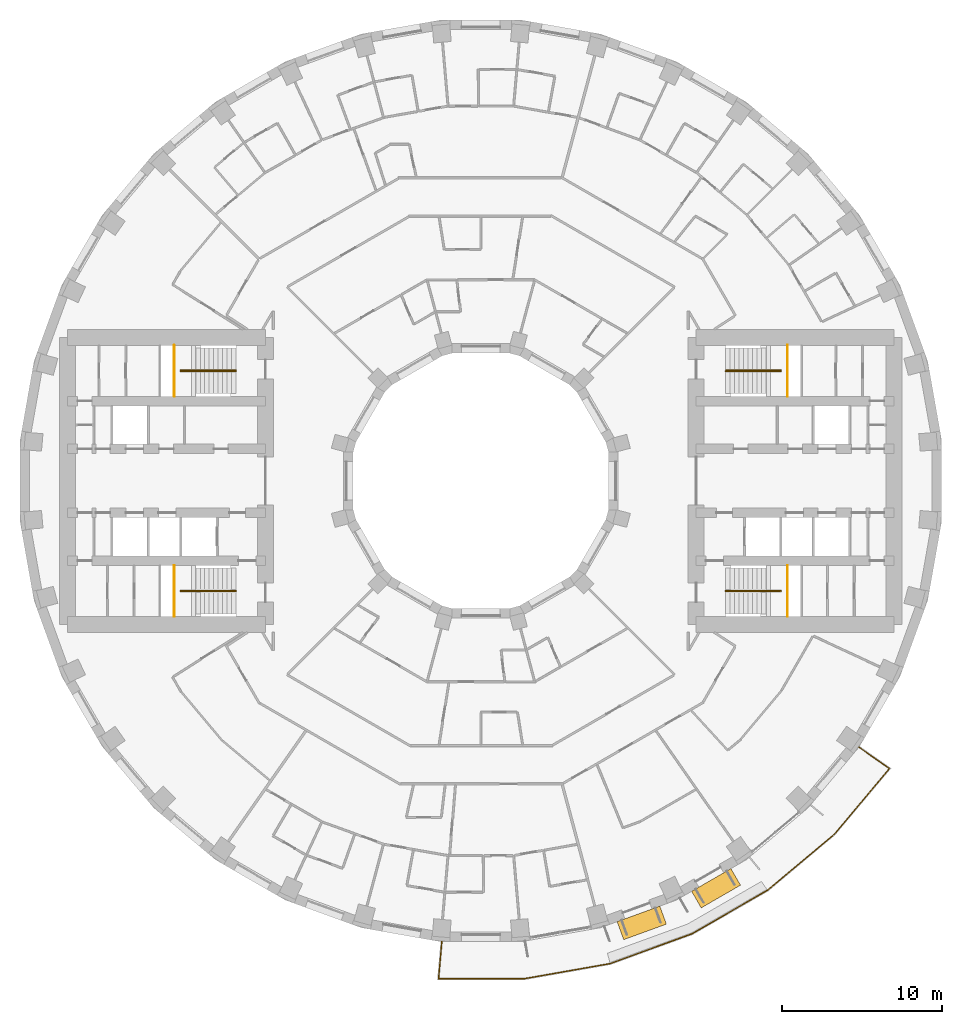
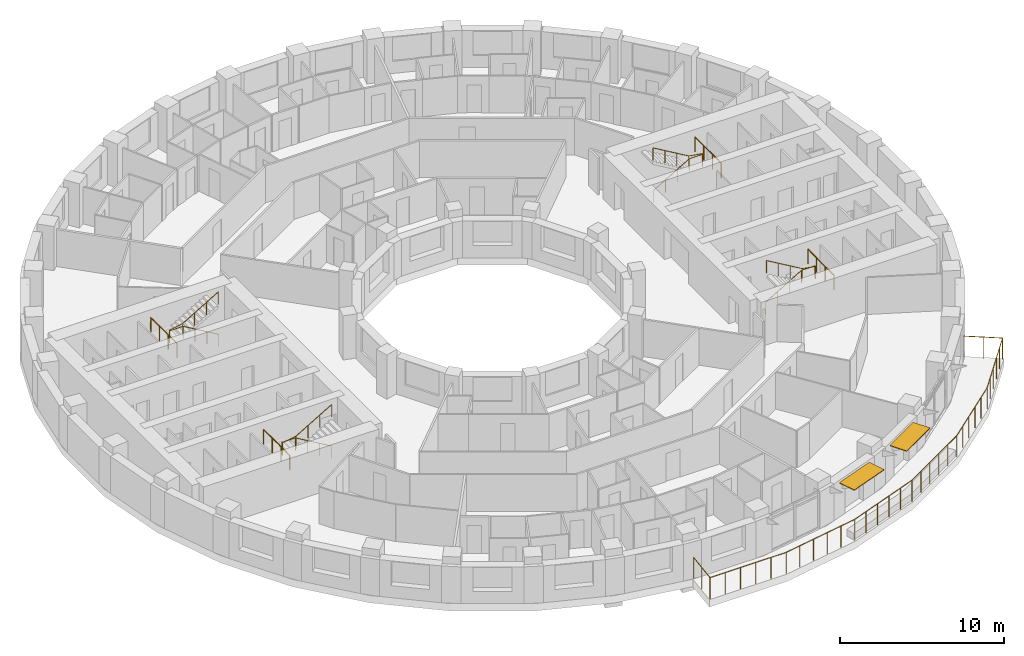
# One storey, part 16 of 16: 9 railings, 2 shading devices.
"""IFC4 building model written with IfcOpenShell, lengths in metres."""

from ifc_helpers import new_model, si_unit, direction, frame, origin, origin_2d, place, context, subcontext, project, spatial, rectangle, circle, extrude, material, layer, layer_set, type_object, element, save


model = new_model("IFC4")

# Units and contexts
model_context = context("Model", 3, precision=1e-05, world=origin(), true_north=direction((0.0, 1.0)))
body_context = subcontext(model_context, "Body", "Model", "MODEL_VIEW")
ifc_project = project(units=[si_unit("LENGTHUNIT", "METRE"), si_unit("AREAUNIT", "SQUARE_METRE"), si_unit("VOLUMEUNIT", "CUBIC_METRE"), si_unit("PLANEANGLEUNIT", "RADIAN"), si_unit("MASSUNIT", "GRAM", prefix="KILO")], contexts=[model_context])

# Site, building, storey
site_placement = place(None, origin())
site = spatial("IfcSite", under=ifc_project, at=site_placement, CompositionType="ELEMENT")
building_placement = place(site_placement, origin())
building = spatial("IfcBuilding", under=site, at=building_placement, Name="Saqina Gate Tower", CompositionType="ELEMENT")
storey_placement = place(building_placement, frame((0.0, 0.0, 26.300048828125)))
storey = spatial("IfcBuildingStorey", under=building, at=storey_placement, Name="L06", CompositionType="ELEMENT", Elevation=26.300048828125)

# Shading devices
ifc_material_1 = material(Name="Aluminium and fabric awning", Category="aluminium")
ifc_layer = layer(ifc_material_1, 0.050048828125)
ifc_layer_set = layer_set([ifc_layer], Name="AW-TERRACE")
shading_device_type = type_object("IfcShadingDeviceType", Name="AW-TERRACE", PredefinedType="AWNING", material=ifc_layer_set)
for number, where, z_axis, x_axis, name in (
    (1, (10.086181640625, -27.711181640625, 2.52490234375), (0.0, 0.0, 1.0), (0.939692620786, 0.342020143326, 0.0), "Terrace awning L06 facet 29"),
    (2, (14.744873046875, -25.538818359375, 2.52490234375), (0.0, 0.0, 1.0), (0.866025403784, 0.5, 0.0), "Terrace awning L06 facet 30"),
):
    element("IfcShadingDevice", number, at=place(storey_placement, frame(where, z_axis=z_axis, x_axis=x_axis)), inside=storey, type_object=shading_device_type, Name=name, PredefinedType="AWNING", context=body_context, shape_type="SweptSolid", body=[
        extrude(rectangle(XDim=2.845703125, YDim=1.199951171875, at=origin_2d()), origin(), (0.0, 0.0, 1.0), 0.050048828125),
    ])

# Railings
ifc_material_2 = material(Name="Stainless steel", Category="steel")
railing_type_1 = type_object("IfcRailingType", Name="RL-TERRACE", PredefinedType="GUARDRAIL", material=ifc_material_2)
railing_1_placement = place(storey_placement, frame((-2.442626953125, -28.8369140625, 0.0)))
element("IfcRailing", 3, at=railing_1_placement, inside=storey, type_object=railing_type_1, Name="Terrace guard L06", PredefinedType="GUARDRAIL", context=body_context, shape_type="SweptSolid", body=[
    extrude(circle(Radius=0.02392578125, at=origin_2d()), frame((0.0, 0.0, 1.576171875), z_axis=(-0.087180896688, -0.996192497087, 0.0), x_axis=(0.996192497087, -0.087180896688, 0.0)), (0.0, 0.0, 1.0), 2.388671875),
    extrude(circle(Radius=0.02392578125, at=origin_2d()), frame((-0.208251953125, -2.379638671875, 1.576171875), z_axis=(0.999999193167, 0.001270301126, 0.0), x_axis=(-0.001270301126, 0.999999193167, 0.0)), (0.0, 0.0, 1.0), 5.38134765625),
    extrude(circle(Radius=0.02392578125, at=origin_2d()), frame((5.173095703125, -2.372802734375, 1.576171875), z_axis=(0.984808752483, 0.17364250929, 0.0), x_axis=(-0.17364250929, 0.984808752483, 0.0)), (0.0, 0.0, 1.0), 5.4609375),
    extrude(circle(Radius=0.02392578125, at=origin_2d()), frame((10.551025390625, -1.424560546875, 1.576171875), z_axis=(0.939682423935, 0.342048157644, 0.0), x_axis=(-0.342048157644, 0.939682423935, 0.0)), (0.0, 0.0, 1.0), 5.4609375),
    extrude(circle(Radius=0.02392578125, at=origin_2d()), frame((15.6826171875, 0.443359375, 1.576171875), z_axis=(0.866033716285, 0.499985602051, 0.0), x_axis=(-0.499985602051, 0.866033716285, 0.0)), (0.0, 0.0, 1.0), 5.461181640625),
    extrude(circle(Radius=0.02392578125, at=origin_2d()), frame((20.412109375, 3.173828125, 1.576171875), z_axis=(0.766043830705, 0.642788339532, 0.0), x_axis=(-0.642788339532, 0.766043830705, 0.0)), (0.0, 0.0, 1.0), 5.4609375),
    extrude(circle(Radius=0.02392578125, at=origin_2d()), frame((24.595458984375, 6.68408203125, 1.576171875), z_axis=(0.643769641069, 0.76521934714, 0.0), x_axis=(-0.76521934714, 0.643769641069, 0.0)), (0.0, 0.0, 1.0), 5.38134765625),
    extrude(circle(Radius=0.02392578125, at=origin_2d()), frame((28.059814453125, 10.802001953125, 1.576171875), z_axis=(-0.819159891559, 0.573565229124, 0.0), x_axis=(-0.573565229124, -0.819159891559, 0.0)), (0.0, 0.0, 1.0), 2.388671875),
    extrude(circle(Radius=0.02099609375, at=origin_2d()), origin(), (0.0, 0.0, 1.0), 1.552001953125),
    extrude(circle(Radius=0.02099609375, at=origin_2d()), frame((-0.10400390625, -1.18994140625, 0.0)), (0.0, 0.0, 1.0), 1.552001953125),
    extrude(circle(Radius=0.02099609375, at=origin_2d()), frame((-0.208251953125, -2.379638671875, 0.0)), (0.0, 0.0, 1.0), 1.552001953125),
    extrude(circle(Radius=0.02099609375, at=origin_2d()), frame((0.867919921875, -2.378173828125, 0.0)), (0.0, 0.0, 1.0), 1.552001953125),
    extrude(circle(Radius=0.02099609375, at=origin_2d()), frame((1.9443359375, -2.376953125, 0.0)), (0.0, 0.0, 1.0), 1.552001953125),
    extrude(circle(Radius=0.02099609375, at=origin_2d()), frame((3.0205078125, -2.37548828125, 0.0)), (0.0, 0.0, 1.0), 1.552001953125),
    extrude(circle(Radius=0.02099609375, at=origin_2d()), frame((4.096923828125, -2.374267578125, 0.0)), (0.0, 0.0, 1.0), 1.552001953125),
    extrude(circle(Radius=0.02099609375, at=origin_2d()), frame((5.173095703125, -2.372802734375, 0.0)), (0.0, 0.0, 1.0), 1.552001953125),
    extrude(circle(Radius=0.02099609375, at=origin_2d()), frame((6.248779296875, -2.18310546875, 0.0)), (0.0, 0.0, 1.0), 1.552001953125),
    extrude(circle(Radius=0.02099609375, at=origin_2d()), frame((7.32421875, -1.993408203125, 0.0)), (0.0, 0.0, 1.0), 1.552001953125),
    extrude(circle(Radius=0.02099609375, at=origin_2d()), frame((8.39990234375, -1.803955078125, 0.0)), (0.0, 0.0, 1.0), 1.552001953125),
    extrude(circle(Radius=0.02099609375, at=origin_2d()), frame((9.475341796875, -1.6142578125, 0.0)), (0.0, 0.0, 1.0), 1.552001953125),
    extrude(circle(Radius=0.02099609375, at=origin_2d()), frame((10.551025390625, -1.424560546875, 0.0)), (0.0, 0.0, 1.0), 1.552001953125),
    extrude(circle(Radius=0.02099609375, at=origin_2d()), frame((11.577392578125, -1.051025390625, 0.0)), (0.0, 0.0, 1.0), 1.552001953125),
    extrude(circle(Radius=0.02099609375, at=origin_2d()), frame((12.603759765625, -0.677490234375, 0.0)), (0.0, 0.0, 1.0), 1.552001953125),
    extrude(circle(Radius=0.02099609375, at=origin_2d()), frame((13.6298828125, -0.3037109375, 0.0)), (0.0, 0.0, 1.0), 1.552001953125),
    extrude(circle(Radius=0.02099609375, at=origin_2d()), frame((14.65625, 0.06982421875, 0.0)), (0.0, 0.0, 1.0), 1.552001953125),
    extrude(circle(Radius=0.02099609375, at=origin_2d()), frame((15.6826171875, 0.443359375, 0.0)), (0.0, 0.0, 1.0), 1.552001953125),
    extrude(circle(Radius=0.02099609375, at=origin_2d()), frame((16.62841796875, 0.989501953125, 0.0)), (0.0, 0.0, 1.0), 1.552001953125),
    extrude(circle(Radius=0.02099609375, at=origin_2d()), frame((17.574462890625, 1.53564453125, 0.0)), (0.0, 0.0, 1.0), 1.552001953125),
    extrude(circle(Radius=0.02099609375, at=origin_2d()), frame((18.520263671875, 2.08154296875, 0.0)), (0.0, 0.0, 1.0), 1.552001953125),
    extrude(circle(Radius=0.02099609375, at=origin_2d()), frame((19.46630859375, 2.627685546875, 0.0)), (0.0, 0.0, 1.0), 1.552001953125),
    extrude(circle(Radius=0.02099609375, at=origin_2d()), frame((20.412109375, 3.173828125, 0.0)), (0.0, 0.0, 1.0), 1.552001953125),
    extrude(circle(Radius=0.02099609375, at=origin_2d()), frame((21.248779296875, 3.8759765625, 0.0)), (0.0, 0.0, 1.0), 1.552001953125),
    extrude(circle(Radius=0.02099609375, at=origin_2d()), frame((22.08544921875, 4.577880859375, 0.0)), (0.0, 0.0, 1.0), 1.552001953125),
    extrude(circle(Radius=0.02099609375, at=origin_2d()), frame((22.922119140625, 5.280029296875, 0.0)), (0.0, 0.0, 1.0), 1.552001953125),
    extrude(circle(Radius=0.02099609375, at=origin_2d()), frame((23.7587890625, 5.98193359375, 0.0)), (0.0, 0.0, 1.0), 1.552001953125),
    extrude(circle(Radius=0.02099609375, at=origin_2d()), frame((24.595458984375, 6.68408203125, 0.0)), (0.0, 0.0, 1.0), 1.552001953125),
    extrude(circle(Radius=0.02099609375, at=origin_2d()), frame((25.288330078125, 7.507568359375, 0.0)), (0.0, 0.0, 1.0), 1.552001953125),
    extrude(circle(Radius=0.02099609375, at=origin_2d()), frame((25.981201171875, 8.331298828125, 0.0)), (0.0, 0.0, 1.0), 1.552001953125),
    extrude(circle(Radius=0.02099609375, at=origin_2d()), frame((26.674072265625, 9.15478515625, 0.0)), (0.0, 0.0, 1.0), 1.552001953125),
    extrude(circle(Radius=0.02099609375, at=origin_2d()), frame((27.366943359375, 9.978515625, 0.0)), (0.0, 0.0, 1.0), 1.552001953125),
    extrude(circle(Radius=0.02099609375, at=origin_2d()), frame((28.059814453125, 10.802001953125, 0.0)), (0.0, 0.0, 1.0), 1.552001953125),
    extrude(circle(Radius=0.02099609375, at=origin_2d()), frame((27.08154296875, 11.487060546875, 0.0)), (0.0, 0.0, 1.0), 1.552001953125),
    extrude(circle(Radius=0.02099609375, at=origin_2d()), frame((26.10302734375, 12.172119140625, 0.0)), (0.0, 0.0, 1.0), 1.552001953125),
])
ifc_material_3 = material(Name="Stainless steel", Category="steel")
railing_type_2 = type_object("IfcRailingType", Name="STAIR GUARD", PredefinedType="GUARDRAIL", material=ifc_material_3)
railing_2_placement = place(storey_placement, frame((19.219970703125, 5.300048828125, 1.64990234375)))
element("IfcRailing", 4, at=railing_2_placement, inside=storey, type_object=railing_type_2, Name="STAIR GUARD", PredefinedType="GUARDRAIL", context=body_context, shape_type="SweptSolid", body=[
    extrude(circle(Radius=0.02392578125, at=origin_2d()), frame((0.0, 0.0, 1.076171875), z_axis=(0.0, 1.0, 0.0), x_axis=(-1.0, 0.0, 0.0)), (0.0, 0.0, 1.0), 3.199951171875),
    extrude(circle(Radius=0.02099609375, at=origin_2d()), origin(), (0.0, 0.0, 1.0), 1.052001953125),
    extrude(circle(Radius=0.02099609375, at=origin_2d()), frame((0.0, 1.066650390625, 0.0)), (0.0, 0.0, 1.0), 1.052001953125),
    extrude(circle(Radius=0.02099609375, at=origin_2d()), frame((0.0, 2.13330078125, 0.0)), (0.0, 0.0, 1.0), 1.052001953125),
    extrude(circle(Radius=0.02099609375, at=origin_2d()), frame((0.0, 3.199951171875, 0.0)), (0.0, 0.0, 1.0), 1.052001953125),
])
railing_3_placement = place(storey_placement, frame((19.219970703125, -5.300048828125, 1.64990234375)))
element("IfcRailing", 5, at=railing_3_placement, inside=storey, type_object=railing_type_2, Name="STAIR GUARD", PredefinedType="GUARDRAIL", context=body_context, shape_type="SweptSolid", body=[
    extrude(circle(Radius=0.02392578125, at=origin_2d()), frame((0.0, 0.0, 1.076171875), z_axis=(0.0, -1.0, 0.0), x_axis=(1.0, 0.0, 0.0)), (0.0, 0.0, 1.0), 3.199951171875),
    extrude(circle(Radius=0.02099609375, at=origin_2d()), origin(), (0.0, 0.0, 1.0), 1.052001953125),
    extrude(circle(Radius=0.02099609375, at=origin_2d()), frame((0.0, -1.066650390625, 0.0)), (0.0, 0.0, 1.0), 1.052001953125),
    extrude(circle(Radius=0.02099609375, at=origin_2d()), frame((0.0, -2.13330078125, 0.0)), (0.0, 0.0, 1.0), 1.052001953125),
    extrude(circle(Radius=0.02099609375, at=origin_2d()), frame((0.0, -3.199951171875, 0.0)), (0.0, 0.0, 1.0), 1.052001953125),
])
railing_4_placement = place(storey_placement, frame((-19.219970703125, 5.300048828125, 1.64990234375)))
element("IfcRailing", 6, at=railing_4_placement, inside=storey, type_object=railing_type_2, Name="STAIR GUARD", PredefinedType="GUARDRAIL", context=body_context, shape_type="SweptSolid", body=[
    extrude(circle(Radius=0.02392578125, at=origin_2d()), frame((0.0, 0.0, 1.076171875), z_axis=(0.0, 1.0, 0.0), x_axis=(-1.0, 0.0, 0.0)), (0.0, 0.0, 1.0), 3.199951171875),
    extrude(circle(Radius=0.02099609375, at=origin_2d()), origin(), (0.0, 0.0, 1.0), 1.052001953125),
    extrude(circle(Radius=0.02099609375, at=origin_2d()), frame((0.0, 1.066650390625, 0.0)), (0.0, 0.0, 1.0), 1.052001953125),
    extrude(circle(Radius=0.02099609375, at=origin_2d()), frame((0.0, 2.13330078125, 0.0)), (0.0, 0.0, 1.0), 1.052001953125),
    extrude(circle(Radius=0.02099609375, at=origin_2d()), frame((0.0, 3.199951171875, 0.0)), (0.0, 0.0, 1.0), 1.052001953125),
])
railing_5_placement = place(storey_placement, frame((-19.219970703125, -5.300048828125, 1.64990234375)))
element("IfcRailing", 7, at=railing_5_placement, inside=storey, type_object=railing_type_2, Name="STAIR GUARD", PredefinedType="GUARDRAIL", context=body_context, shape_type="SweptSolid", body=[
    extrude(circle(Radius=0.02392578125, at=origin_2d()), frame((0.0, 0.0, 1.076171875), z_axis=(0.0, -1.0, 0.0), x_axis=(1.0, 0.0, 0.0)), (0.0, 0.0, 1.0), 3.199951171875),
    extrude(circle(Radius=0.02099609375, at=origin_2d()), origin(), (0.0, 0.0, 1.0), 1.052001953125),
    extrude(circle(Radius=0.02099609375, at=origin_2d()), frame((0.0, -1.066650390625, 0.0)), (0.0, 0.0, 1.0), 1.052001953125),
    extrude(circle(Radius=0.02099609375, at=origin_2d()), frame((0.0, -2.13330078125, 0.0)), (0.0, 0.0, 1.0), 1.052001953125),
    extrude(circle(Radius=0.02099609375, at=origin_2d()), frame((0.0, -3.199951171875, 0.0)), (0.0, 0.0, 1.0), 1.052001953125),
])
ifc_material_4 = material(Name="Stainless steel", Category="steel")
railing_type_3 = type_object("IfcRailingType", Name="STAIR HANDRAIL", PredefinedType="HANDRAIL", material=ifc_material_4)
railing_6_placement = place(storey_placement, frame((15.35009765625, 6.86669921875, 0.1650390625)))
element("IfcRailing", 8, at=railing_6_placement, inside=storey, type_object=railing_type_3, Name="EXIT STAIR 1 HANDRAIL", PredefinedType="HANDRAIL", context=body_context, shape_type="SweptSolid", body=[
    extrude(circle(Radius=0.02392578125, at=origin_2d()), frame((0.0, 0.0, 0.92578125), z_axis=(0.861560626758, 0.0, 0.507654692109), x_axis=(0.0, 1.0, 0.0)), (0.0, 0.0, 1.0), 2.925048828125),
    extrude(circle(Radius=0.02392578125, at=origin_2d()), frame((2.52001953125, 0.0, 2.41064453125), z_axis=(1.0, 0.0, 0.0), x_axis=(0.0, 1.0, 0.0)), (0.0, 0.0, 1.0), 0.949951171875),
    extrude(circle(Radius=0.02392578125, at=origin_2d()), frame((3.469970703125, 0.0, 2.41064453125), z_axis=(0.0, 1.0, 0.0), x_axis=(-1.0, 0.0, 0.0)), (0.0, 0.0, 1.0), 0.066650390625),
    extrude(circle(Radius=0.02392578125, at=origin_2d()), frame((3.469970703125, 0.066650390625, 2.41064453125), z_axis=(-0.985241474778, 0.0, 0.171170197109), x_axis=(0.0, -1.0, 0.0)), (0.0, 0.0, 1.0), 0.964111328125),
    extrude(circle(Radius=0.02392578125, at=origin_2d()), frame((2.52001953125, 0.066650390625, 2.57568359375), z_axis=(-0.86152411907, 0.0, 0.507716645641), x_axis=(0.0, -1.0, 0.0)), (0.0, 0.0, 1.0), 2.925048828125),
    extrude(circle(Radius=0.02099609375, at=origin_2d()), origin(), (0.0, 0.0, 1.0), 0.90185546875),
    extrude(circle(Radius=0.02099609375, at=origin_2d()), frame((0.840087890625, 0.0, 0.494873046875)), (0.0, 0.0, 1.0), 0.90185546875),
    extrude(circle(Radius=0.02099609375, at=origin_2d()), frame((1.679931640625, 0.0, 0.989990234375)), (0.0, 0.0, 1.0), 0.90185546875),
    extrude(circle(Radius=0.02099609375, at=origin_2d()), frame((2.52001953125, 0.0, 1.48486328125)), (0.0, 0.0, 1.0), 0.90185546875),
    extrude(circle(Radius=0.02099609375, at=origin_2d()), frame((3.469970703125, 0.0, 1.48486328125)), (0.0, 0.0, 1.0), 0.90185546875),
    extrude(circle(Radius=0.02099609375, at=origin_2d()), frame((3.469970703125, 0.066650390625, 1.48486328125)), (0.0, 0.0, 1.0), 0.90185546875),
    extrude(circle(Radius=0.02099609375, at=origin_2d()), frame((2.52001953125, 0.066650390625, 1.64990234375)), (0.0, 0.0, 1.0), 0.90185546875),
    extrude(circle(Radius=0.02099609375, at=origin_2d()), frame((1.679931640625, 0.066650390625, 2.14501953125)), (0.0, 0.0, 1.0), 0.90185546875),
    extrude(circle(Radius=0.02099609375, at=origin_2d()), frame((0.840087890625, 0.066650390625, 2.639892578125)), (0.0, 0.0, 1.0), 0.90185546875),
    extrude(circle(Radius=0.02099609375, at=origin_2d()), frame((0.0, 0.066650390625, 3.135009765625)), (0.0, 0.0, 1.0), 0.90185546875),
])
railing_7_placement = place(storey_placement, frame((15.35009765625, -6.86669921875, 0.1650390625)))
element("IfcRailing", 9, at=railing_7_placement, inside=storey, type_object=railing_type_3, Name="EXIT STAIR 2 HANDRAIL", PredefinedType="HANDRAIL", context=body_context, shape_type="SweptSolid", body=[
    extrude(circle(Radius=0.02392578125, at=origin_2d()), frame((0.0, 0.0, 0.92578125), z_axis=(0.861560626758, 0.0, 0.507654692109), x_axis=(0.0, 1.0, 0.0)), (0.0, 0.0, 1.0), 2.925048828125),
    extrude(circle(Radius=0.02392578125, at=origin_2d()), frame((2.52001953125, 0.0, 2.41064453125), z_axis=(1.0, 0.0, 0.0), x_axis=(0.0, 1.0, 0.0)), (0.0, 0.0, 1.0), 0.949951171875),
    extrude(circle(Radius=0.02392578125, at=origin_2d()), frame((3.469970703125, 0.0, 2.41064453125), z_axis=(0.0, -1.0, 0.0), x_axis=(1.0, 0.0, 0.0)), (0.0, 0.0, 1.0), 0.066650390625),
    extrude(circle(Radius=0.02392578125, at=origin_2d()), frame((3.469970703125, -0.066650390625, 2.41064453125), z_axis=(-0.985241474778, 0.0, 0.171170197109), x_axis=(0.0, -1.0, 0.0)), (0.0, 0.0, 1.0), 0.964111328125),
    extrude(circle(Radius=0.02392578125, at=origin_2d()), frame((2.52001953125, -0.066650390625, 2.57568359375), z_axis=(-0.86152411907, 0.0, 0.507716645641), x_axis=(0.0, -1.0, 0.0)), (0.0, 0.0, 1.0), 2.925048828125),
    extrude(circle(Radius=0.02099609375, at=origin_2d()), origin(), (0.0, 0.0, 1.0), 0.90185546875),
    extrude(circle(Radius=0.02099609375, at=origin_2d()), frame((0.840087890625, 0.0, 0.494873046875)), (0.0, 0.0, 1.0), 0.90185546875),
    extrude(circle(Radius=0.02099609375, at=origin_2d()), frame((1.679931640625, 0.0, 0.989990234375)), (0.0, 0.0, 1.0), 0.90185546875),
    extrude(circle(Radius=0.02099609375, at=origin_2d()), frame((2.52001953125, 0.0, 1.48486328125)), (0.0, 0.0, 1.0), 0.90185546875),
    extrude(circle(Radius=0.02099609375, at=origin_2d()), frame((3.469970703125, 0.0, 1.48486328125)), (0.0, 0.0, 1.0), 0.90185546875),
    extrude(circle(Radius=0.02099609375, at=origin_2d()), frame((3.469970703125, -0.066650390625, 1.48486328125)), (0.0, 0.0, 1.0), 0.90185546875),
    extrude(circle(Radius=0.02099609375, at=origin_2d()), frame((2.52001953125, -0.066650390625, 1.64990234375)), (0.0, 0.0, 1.0), 0.90185546875),
    extrude(circle(Radius=0.02099609375, at=origin_2d()), frame((1.679931640625, -0.066650390625, 2.14501953125)), (0.0, 0.0, 1.0), 0.90185546875),
    extrude(circle(Radius=0.02099609375, at=origin_2d()), frame((0.840087890625, -0.066650390625, 2.639892578125)), (0.0, 0.0, 1.0), 0.90185546875),
    extrude(circle(Radius=0.02099609375, at=origin_2d()), frame((0.0, -0.066650390625, 3.135009765625)), (0.0, 0.0, 1.0), 0.90185546875),
])
railing_8_placement = place(storey_placement, frame((-15.35009765625, 6.86669921875, 0.1650390625)))
element("IfcRailing", 10, at=railing_8_placement, inside=storey, type_object=railing_type_3, Name="EXIT STAIR 3 HANDRAIL", PredefinedType="HANDRAIL", context=body_context, shape_type="SweptSolid", body=[
    extrude(circle(Radius=0.02392578125, at=origin_2d()), frame((0.0, 0.0, 0.92578125), z_axis=(-0.861560626758, 0.0, 0.507654692109), x_axis=(0.0, -1.0, 0.0)), (0.0, 0.0, 1.0), 2.925048828125),
    extrude(circle(Radius=0.02392578125, at=origin_2d()), frame((-2.52001953125, 0.0, 2.41064453125), z_axis=(-1.0, 0.0, 0.0), x_axis=(0.0, -1.0, 0.0)), (0.0, 0.0, 1.0), 0.949951171875),
    extrude(circle(Radius=0.02392578125, at=origin_2d()), frame((-3.469970703125, 0.0, 2.41064453125), z_axis=(0.0, 1.0, 0.0), x_axis=(-1.0, 0.0, 0.0)), (0.0, 0.0, 1.0), 0.066650390625),
    extrude(circle(Radius=0.02392578125, at=origin_2d()), frame((-3.469970703125, 0.066650390625, 2.41064453125), z_axis=(0.985241474778, 0.0, 0.171170197109), x_axis=(0.0, 1.0, 0.0)), (0.0, 0.0, 1.0), 0.964111328125),
    extrude(circle(Radius=0.02392578125, at=origin_2d()), frame((-2.52001953125, 0.066650390625, 2.57568359375), z_axis=(0.86152411907, 0.0, 0.507716645641), x_axis=(0.0, 1.0, 0.0)), (0.0, 0.0, 1.0), 2.925048828125),
    extrude(circle(Radius=0.02099609375, at=origin_2d()), origin(), (0.0, 0.0, 1.0), 0.90185546875),
    extrude(circle(Radius=0.02099609375, at=origin_2d()), frame((-0.840087890625, 0.0, 0.494873046875)), (0.0, 0.0, 1.0), 0.90185546875),
    extrude(circle(Radius=0.02099609375, at=origin_2d()), frame((-1.679931640625, 0.0, 0.989990234375)), (0.0, 0.0, 1.0), 0.90185546875),
    extrude(circle(Radius=0.02099609375, at=origin_2d()), frame((-2.52001953125, 0.0, 1.48486328125)), (0.0, 0.0, 1.0), 0.90185546875),
    extrude(circle(Radius=0.02099609375, at=origin_2d()), frame((-3.469970703125, 0.0, 1.48486328125)), (0.0, 0.0, 1.0), 0.90185546875),
    extrude(circle(Radius=0.02099609375, at=origin_2d()), frame((-3.469970703125, 0.066650390625, 1.48486328125)), (0.0, 0.0, 1.0), 0.90185546875),
    extrude(circle(Radius=0.02099609375, at=origin_2d()), frame((-2.52001953125, 0.066650390625, 1.64990234375)), (0.0, 0.0, 1.0), 0.90185546875),
    extrude(circle(Radius=0.02099609375, at=origin_2d()), frame((-1.679931640625, 0.066650390625, 2.14501953125)), (0.0, 0.0, 1.0), 0.90185546875),
    extrude(circle(Radius=0.02099609375, at=origin_2d()), frame((-0.840087890625, 0.066650390625, 2.639892578125)), (0.0, 0.0, 1.0), 0.90185546875),
    extrude(circle(Radius=0.02099609375, at=origin_2d()), frame((0.0, 0.066650390625, 3.135009765625)), (0.0, 0.0, 1.0), 0.90185546875),
])
railing_9_placement = place(storey_placement, frame((-15.35009765625, -6.86669921875, 0.1650390625)))
element("IfcRailing", 11, at=railing_9_placement, inside=storey, type_object=railing_type_3, Name="EXIT STAIR 4 HANDRAIL", PredefinedType="HANDRAIL", context=body_context, shape_type="SweptSolid", body=[
    extrude(circle(Radius=0.02392578125, at=origin_2d()), frame((0.0, 0.0, 0.92578125), z_axis=(-0.861560626758, 0.0, 0.507654692109), x_axis=(0.0, -1.0, 0.0)), (0.0, 0.0, 1.0), 2.925048828125),
    extrude(circle(Radius=0.02392578125, at=origin_2d()), frame((-2.52001953125, 0.0, 2.41064453125), z_axis=(-1.0, 0.0, 0.0), x_axis=(0.0, -1.0, 0.0)), (0.0, 0.0, 1.0), 0.949951171875),
    extrude(circle(Radius=0.02392578125, at=origin_2d()), frame((-3.469970703125, 0.0, 2.41064453125), z_axis=(0.0, -1.0, 0.0), x_axis=(1.0, 0.0, 0.0)), (0.0, 0.0, 1.0), 0.066650390625),
    extrude(circle(Radius=0.02392578125, at=origin_2d()), frame((-3.469970703125, -0.066650390625, 2.41064453125), z_axis=(0.985241474778, 0.0, 0.171170197109), x_axis=(0.0, 1.0, 0.0)), (0.0, 0.0, 1.0), 0.964111328125),
    extrude(circle(Radius=0.02392578125, at=origin_2d()), frame((-2.52001953125, -0.066650390625, 2.57568359375), z_axis=(0.86152411907, 0.0, 0.507716645641), x_axis=(0.0, 1.0, 0.0)), (0.0, 0.0, 1.0), 2.925048828125),
    extrude(circle(Radius=0.02099609375, at=origin_2d()), origin(), (0.0, 0.0, 1.0), 0.90185546875),
    extrude(circle(Radius=0.02099609375, at=origin_2d()), frame((-0.840087890625, 0.0, 0.494873046875)), (0.0, 0.0, 1.0), 0.90185546875),
    extrude(circle(Radius=0.02099609375, at=origin_2d()), frame((-1.679931640625, 0.0, 0.989990234375)), (0.0, 0.0, 1.0), 0.90185546875),
    extrude(circle(Radius=0.02099609375, at=origin_2d()), frame((-2.52001953125, 0.0, 1.48486328125)), (0.0, 0.0, 1.0), 0.90185546875),
    extrude(circle(Radius=0.02099609375, at=origin_2d()), frame((-3.469970703125, 0.0, 1.48486328125)), (0.0, 0.0, 1.0), 0.90185546875),
    extrude(circle(Radius=0.02099609375, at=origin_2d()), frame((-3.469970703125, -0.066650390625, 1.48486328125)), (0.0, 0.0, 1.0), 0.90185546875),
    extrude(circle(Radius=0.02099609375, at=origin_2d()), frame((-2.52001953125, -0.066650390625, 1.64990234375)), (0.0, 0.0, 1.0), 0.90185546875),
    extrude(circle(Radius=0.02099609375, at=origin_2d()), frame((-1.679931640625, -0.066650390625, 2.14501953125)), (0.0, 0.0, 1.0), 0.90185546875),
    extrude(circle(Radius=0.02099609375, at=origin_2d()), frame((-0.840087890625, -0.066650390625, 2.639892578125)), (0.0, 0.0, 1.0), 0.90185546875),
    extrude(circle(Radius=0.02099609375, at=origin_2d()), frame((0.0, -0.066650390625, 3.135009765625)), (0.0, 0.0, 1.0), 0.90185546875),
])

save(model, "model.ifc")
